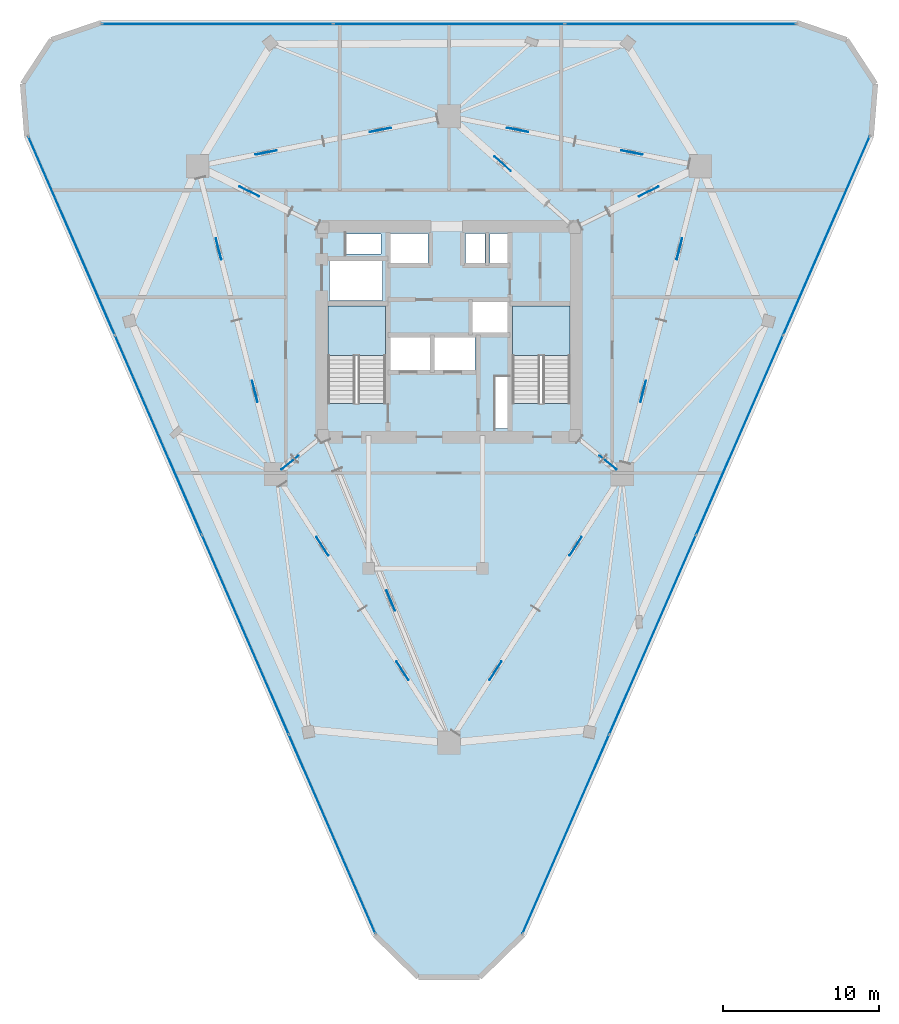
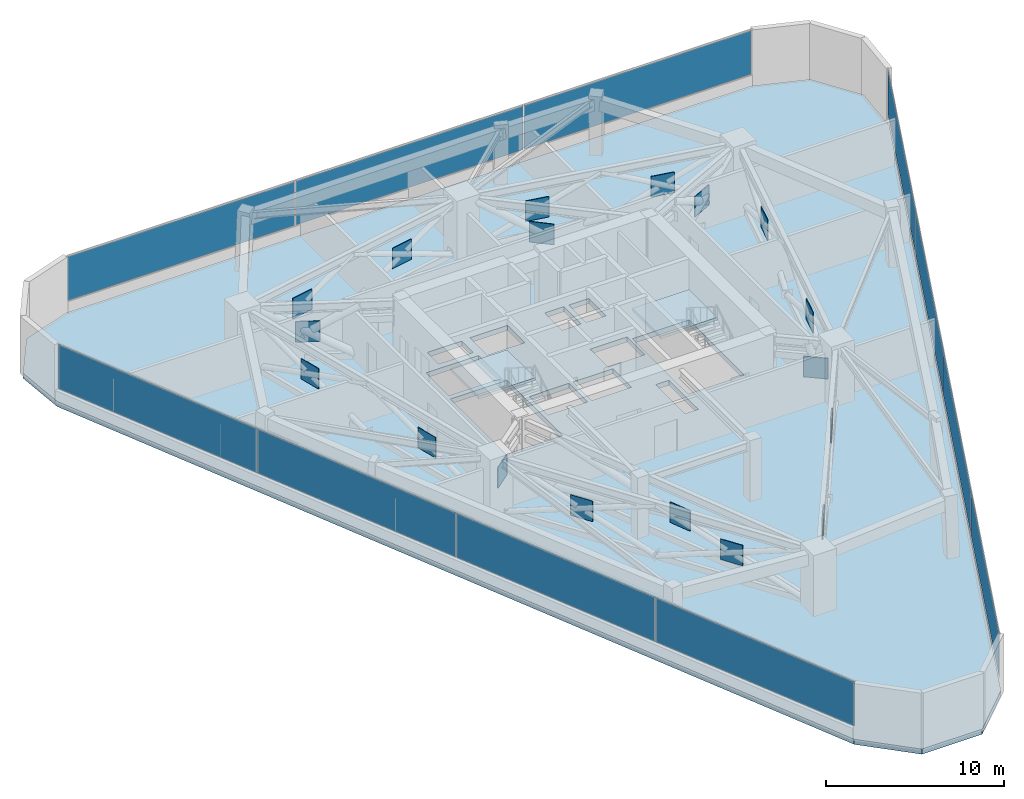
# One storey, part 9 of 13: 29 plates, 3 slabs, 5 elements without a shape of their own.
"""IFC4 building model written with IfcOpenShell, lengths in metres."""

from ifc_helpers import new_model, si_unit, direction, frame, origin, origin_2d, place, context, subcontext, project, spatial, polyline, rectangle, outline, extrude, material, layer, layer_set, type_object, element, aggregate, save


model = new_model("IFC4")

# Units and contexts
model_context = context("Model", 3, precision=1e-05, world=origin(), true_north=direction((0.0, 1.0)))
body_context = subcontext(model_context, "Body", "Model", "MODEL_VIEW")
ifc_project = project(units=[si_unit("LENGTHUNIT", "METRE"), si_unit("AREAUNIT", "SQUARE_METRE"), si_unit("VOLUMEUNIT", "CUBIC_METRE"), si_unit("PLANEANGLEUNIT", "RADIAN"), si_unit("MASSUNIT", "GRAM", prefix="KILO")], contexts=[model_context])

# Site, building, storey
site_placement = place(None, origin())
site = spatial("IfcSite", under=ifc_project, at=site_placement, CompositionType="ELEMENT")
building_placement = place(site_placement, origin())
building = spatial("IfcBuilding", under=site, at=building_placement, Name="Talyreon Biosciences Tower", CompositionType="ELEMENT")
storey_placement = place(building_placement, frame((0.0, 0.0, 175.199951171875)))
storey = spatial("IfcBuildingStorey", under=building, at=storey_placement, Name="L46", CompositionType="ELEMENT", Elevation=175.199951171875)

# Curtain wall, plates
ifc_material_1 = material(Name="Thermally broken aluminium and low-E glazing", Category="aluminium")
ifc_layer_1 = layer(ifc_material_1, 0.18505859375)
ifc_layer_set_1 = layer_set([ifc_layer_1], Name="Thermally broken aluminium and low-E glazing")
curtain_wall_type = type_object("IfcCurtainWallType", Name="CurtainWall_Zone3Bioprocess", PredefinedType="NOTDEFINED", material=ifc_layer_set_1)
curtain_wall_1_placement = place(storey_placement, origin())
curtain_wall_1 = element("IfcCurtainWall", 1, at=curtain_wall_1_placement, inside=storey, type_object=curtain_wall_type, Name="L46 Unitised Curtain Wall FCW-L46-00", PredefinedType="NOTDEFINED")
ifc_material_2 = material(Name="Triple-silver low-E insulated glazing", Category="glass")
ifc_layer_2 = layer(ifc_material_2, 0.031982421875)
ifc_layer_set_2 = layer_set([ifc_layer_2], Name="Triple-silver low-E insulated glazing")
plate_type_1 = type_object("IfcPlateType", Name="CWGlazingPanel_32", PredefinedType="CURTAIN_PANEL", material=ifc_layer_set_2)
plate_1_placement = place(storey_placement, frame((58.5166015625, 35.83154296875, 0.875), z_axis=(0.0, 0.0, 1.0), x_axis=(-0.399300253505, 0.916820215501, 0.0)))
plate_1 = element("IfcPlate", 2, at=plate_1_placement, type_object=plate_type_1, Name="CW4 panel 1.1", PredefinedType="CURTAIN_PANEL", context=body_context, shape_type="SweptSolid", body=[
    extrude(rectangle(XDim=13.84033203125, YDim=0.031982421875, at=origin_2d()), origin(), (0.0, 0.0, 1.0), 3.010009765625),
])
plate_2_placement = place(storey_placement, frame((52.957763671875, 48.59521484375, 0.875), z_axis=(0.0, 0.0, 1.0), x_axis=(-0.399300253505, 0.916820215501, 0.0)))
plate_2 = element("IfcPlate", 3, at=plate_2_placement, type_object=plate_type_1, Name="CW4 panel 2.1", PredefinedType="CURTAIN_PANEL", context=body_context, shape_type="SweptSolid", body=[
    extrude(rectangle(XDim=13.872802734375, YDim=0.031982421875, at=origin_2d()), origin(), (0.0, 0.0, 1.0), 3.010009765625),
])
plate_3_placement = place(storey_placement, frame((47.392333984375, 61.37353515625, 0.875), z_axis=(0.0, 0.0, 1.0), x_axis=(-0.399300253505, 0.916820215501, 0.0)))
plate_3 = element("IfcPlate", 4, at=plate_3_placement, type_object=plate_type_1, Name="CW4 panel 3.1", PredefinedType="CURTAIN_PANEL", context=body_context, shape_type="SweptSolid", body=[
    extrude(rectangle(XDim=13.872802734375, YDim=0.031982421875, at=origin_2d()), origin(), (0.0, 0.0, 1.0), 3.010009765625),
])
plate_4_placement = place(storey_placement, frame((41.83349609375, 74.13720703125, 0.875), z_axis=(0.0, 0.0, 1.0), x_axis=(-0.399300253505, 0.916820215501, 0.0)))
plate_4 = element("IfcPlate", 5, at=plate_4_placement, type_object=plate_type_1, Name="CW4 panel 4.1", PredefinedType="CURTAIN_PANEL", context=body_context, shape_type="SweptSolid", body=[
    extrude(rectangle(XDim=13.84033203125, YDim=0.031982421875, at=origin_2d()), origin(), (0.0, 0.0, 1.0), 3.010009765625),
])
aggregate(curtain_wall_1, [plate_1, plate_2, plate_3, plate_4])

curtain_wall_2_placement = place(storey_placement, origin())
curtain_wall_2 = element("IfcCurtainWall", 6, at=curtain_wall_2_placement, inside=storey, type_object=curtain_wall_type, Name="L46 Unitised Curtain Wall FCW-L46-04", PredefinedType="NOTDEFINED")
plate_5_placement = place(storey_placement, frame((51.17529296875, 87.705810546875, 0.875), z_axis=(0.0, 0.0, 1.0), x_axis=(1.0, 0.0, 0.0)))
plate_5 = element("IfcPlate", 7, at=plate_5_placement, type_object=plate_type_1, Name="CW4 panel 1.1", PredefinedType="CURTAIN_PANEL", context=body_context, shape_type="SweptSolid", body=[
    extrude(rectangle(XDim=14.743408203125, YDim=0.031982421875, at=origin_2d()), origin(), (0.0, 0.0, 1.0), 3.010009765625),
])
plate_6_placement = place(storey_placement, frame((66.0, 87.705810546875, 0.875), z_axis=(0.0, 0.0, 1.0), x_axis=(1.0, 0.0, 0.0)))
plate_6 = element("IfcPlate", 8, at=plate_6_placement, type_object=plate_type_1, Name="CW4 panel 2.1", PredefinedType="CURTAIN_PANEL", context=body_context, shape_type="SweptSolid", body=[
    extrude(rectangle(XDim=14.77587890625, YDim=0.031982421875, at=origin_2d()), origin(), (0.0, 0.0, 1.0), 3.010009765625),
])
plate_7_placement = place(storey_placement, frame((80.82470703125, 87.705810546875, 0.875), z_axis=(0.0, 0.0, 1.0), x_axis=(1.0, 0.0, 0.0)))
plate_7 = element("IfcPlate", 9, at=plate_7_placement, type_object=plate_type_1, Name="CW4 panel 3.1", PredefinedType="CURTAIN_PANEL", context=body_context, shape_type="SweptSolid", body=[
    extrude(rectangle(XDim=14.743408203125, YDim=0.031982421875, at=origin_2d()), origin(), (0.0, 0.0, 1.0), 3.010009765625),
])
aggregate(curtain_wall_2, [plate_5, plate_6, plate_7])

curtain_wall_3_placement = place(storey_placement, origin())
curtain_wall_3 = element("IfcCurtainWall", 10, at=curtain_wall_3_placement, inside=storey, type_object=curtain_wall_type, Name="L46 Unitised Curtain Wall FCW-L46-08", PredefinedType="NOTDEFINED")
plate_8_placement = place(storey_placement, frame((90.16650390625, 74.13720703125, 0.875), z_axis=(0.0, 0.0, 1.0), x_axis=(-0.399300253505, -0.916820215501, 0.0)))
plate_8 = element("IfcPlate", 11, at=plate_8_placement, type_object=plate_type_1, Name="CW4 panel 1.1", PredefinedType="CURTAIN_PANEL", context=body_context, shape_type="SweptSolid", body=[
    extrude(rectangle(XDim=13.84033203125, YDim=0.031982421875, at=origin_2d()), origin(), (0.0, 0.0, 1.0), 3.010009765625),
])
plate_9_placement = place(storey_placement, frame((84.607666015625, 61.37353515625, 0.875), z_axis=(0.0, 0.0, 1.0), x_axis=(-0.399300253505, -0.916820215501, 0.0)))
plate_9 = element("IfcPlate", 12, at=plate_9_placement, type_object=plate_type_1, Name="CW4 panel 2.1", PredefinedType="CURTAIN_PANEL", context=body_context, shape_type="SweptSolid", body=[
    extrude(rectangle(XDim=13.872802734375, YDim=0.031982421875, at=origin_2d()), origin(), (0.0, 0.0, 1.0), 3.010009765625),
])
plate_10_placement = place(storey_placement, frame((79.042236328125, 48.59521484375, 0.875), z_axis=(0.0, 0.0, 1.0), x_axis=(-0.399300253505, -0.916820215501, 0.0)))
plate_10 = element("IfcPlate", 13, at=plate_10_placement, type_object=plate_type_1, Name="CW4 panel 3.1", PredefinedType="CURTAIN_PANEL", context=body_context, shape_type="SweptSolid", body=[
    extrude(rectangle(XDim=13.872802734375, YDim=0.031982421875, at=origin_2d()), origin(), (0.0, 0.0, 1.0), 3.010009765625),
])
plate_11_placement = place(storey_placement, frame((73.4833984375, 35.83154296875, 0.875), z_axis=(0.0, 0.0, 1.0), x_axis=(-0.399300253505, -0.916820215501, 0.0)))
plate_11 = element("IfcPlate", 14, at=plate_11_placement, type_object=plate_type_1, Name="CW4 panel 4.1", PredefinedType="CURTAIN_PANEL", context=body_context, shape_type="SweptSolid", body=[
    extrude(rectangle(XDim=13.84033203125, YDim=0.031982421875, at=origin_2d()), origin(), (0.0, 0.0, 1.0), 3.010009765625),
])
aggregate(curtain_wall_3, [plate_8, plate_9, plate_10, plate_11])

# Slab
ifc_material_3 = material(Name="Concrete C50/60", Category="concrete")
ifc_layer_3 = layer(ifc_material_3, 0.35009765625)
ifc_layer_set_3 = layer_set([ifc_layer_3], Name="Concrete C50/60")
slab_type_1 = type_object("IfcSlabType", Name="PlantOutriggerSlab_350", PredefinedType="FLOOR", material=ifc_layer_set_3)
slab_1_placement = place(storey_placement, frame((0.0, 0.0, -0.349853515625)))
element("IfcSlab", 15, at=slab_1_placement, inside=storey, type_object=slab_type_1, Name="L46 Structural Floor Slab", PredefinedType="FLOOR", context=body_context, shape_type="SweptSolid", body=[
    extrude(outline(polyline([(61.232421875, 29.3955078125), (38.970947265625, 80.509521484375), (38.69970703125, 83.87109375), (40.548095703125, 86.69189453125), (43.738525390625, 87.78564453125), (88.261474609375, 87.78564453125), (91.451904296875, 86.69189453125), (93.30029296875, 83.87109375), (93.029052734375, 80.509521484375), (70.767578125, 29.3955078125), (67.9609375, 26.65576171875), (64.0390625, 26.65576171875), (61.232421875, 29.3955078125)]), holes=[polyline([(61.929931640625, 69.64990234375), (61.929931640625, 63.407958984375), (58.25, 63.407958984375), (58.25, 69.64990234375), (61.929931640625, 69.64990234375)]), polyline([(64.800048828125, 67.64990234375), (64.800048828125, 65.550048828125), (62.199951171875, 65.550048828125), (62.199951171875, 67.64990234375), (64.800048828125, 67.64990234375)]), polyline([(67.64990234375, 67.64990234375), (67.64990234375, 65.550048828125), (65.050048828125, 65.550048828125), (65.050048828125, 67.64990234375), (67.64990234375, 67.64990234375)]), polyline([(61.75, 69.97998046875), (58.35009765625, 69.97998046875), (58.35009765625, 72.550048828125), (61.75, 72.550048828125), (61.75, 69.97998046875)]), polyline([(64.64990234375, 72.35009765625), (62.199951171875, 72.35009765625), (62.199951171875, 74.300048828125), (64.64990234375, 74.300048828125), (64.64990234375, 72.35009765625)]), polyline([(61.64990234375, 74.25), (61.64990234375, 72.9599609375), (59.39990234375, 72.9599609375), (59.39990234375, 74.25), (61.64990234375, 74.25)]), polyline([(69.820068359375, 61.800048828125), (68.9599609375, 61.800048828125), (68.9599609375, 65.10009765625), (69.820068359375, 65.10009765625), (69.820068359375, 61.800048828125)]), polyline([(73.75, 63.407958984375), (70.070068359375, 63.407958984375), (70.070068359375, 69.64990234375), (73.75, 69.64990234375), (73.75, 63.407958984375)]), polyline([(69.89990234375, 69.949951171875), (69.89990234375, 67.949951171875), (67.5, 67.949951171875), (67.5, 69.949951171875), (69.89990234375, 69.949951171875)]), polyline([(68.300048828125, 72.35009765625), (67.050048828125, 72.35009765625), (67.050048828125, 74.300048828125), (68.300048828125, 74.300048828125), (68.300048828125, 72.35009765625)]), polyline([(69.919921875, 72.35009765625), (68.6201171875, 72.35009765625), (68.6201171875, 74.300048828125), (69.919921875, 74.300048828125), (69.919921875, 72.35009765625)])]), origin(), (0.0, 0.0, 1.0), 0.349853515625),
])

# Stair, slab
ifc_material_4 = material(Name="Concrete C40/50", Category="concrete")
stair_type = type_object("IfcStairType", Name="DoglegEscapeStair_4200", PredefinedType="HALF_TURN_STAIR", material=ifc_material_4)
stair_1_placement = place(storey_placement, origin())
stair_1 = element("IfcStair", 16, at=stair_1_placement, inside=storey, type_object=stair_type, Name="L46 Core Escape Stair 1", PredefinedType="HALF_TURN_STAIR")
ifc_layer_4 = layer(ifc_material_4, 0.199951171875)
ifc_layer_set_4 = layer_set([ifc_layer_4], Name="Concrete C40/50")
slab_type_2 = type_object("IfcSlabType", Name="StairLandingSlab_200", PredefinedType="LANDING", material=ifc_layer_set_4)
slab_2_placement = place(storey_placement, frame((0.0, 0.0, 1.900146484375)))
slab_2 = element("IfcSlab", 17, at=slab_2_placement, type_object=slab_type_2, Name="ST-1 landing 1", PredefinedType="LANDING", context=body_context, shape_type="SweptSolid", body=[
    extrude(outline(polyline([(61.929931640625, 66.47998046875), (61.929931640625, 69.64990234375), (58.25, 69.64990234375), (58.25, 66.47998046875), (61.929931640625, 66.47998046875)])), origin(), (0.0, 0.0, 1.0), 0.199951171875),
])
aggregate(stair_1, [slab_2])

stair_2_placement = place(storey_placement, origin())
stair_2 = element("IfcStair", 18, at=stair_2_placement, inside=storey, type_object=stair_type, Name="L46 Core Escape Stair 2", PredefinedType="HALF_TURN_STAIR")
slab_3_placement = place(storey_placement, frame((0.0, 0.0, 1.900146484375)))
slab_3 = element("IfcSlab", 19, at=slab_3_placement, type_object=slab_type_2, Name="ST-2 landing 1", PredefinedType="LANDING", context=body_context, shape_type="SweptSolid", body=[
    extrude(outline(polyline([(73.75, 66.47998046875), (73.75, 69.64990234375), (70.070068359375, 69.64990234375), (70.070068359375, 66.47998046875), (73.75, 66.47998046875)])), origin(), (0.0, 0.0, 1.0), 0.199951171875),
])
aggregate(stair_2, [slab_3])

# Plates
ifc_material_5 = material(Name="Steel SM355", Category="steel")
ifc_layer_5 = layer(ifc_material_5, 0.035888671875)
ifc_layer_set_5 = layer_set([ifc_layer_5], Name="Steel SM355")
plate_type_2 = type_object("IfcPlateType", Name="TrussGussetNodePlate_36", PredefinedType="SHEET", material=ifc_layer_set_5)
for number, where, z_axis, x_axis, name in (
    (20, (62.27587890625, 50.772705078125, 1.27001953125), (0.0, 0.0, 1.0), (0.378535538423, -0.925586757766, 0.0), "Truss node plate NP-OUT-L46-R1-X"),
    (21, (76.184814453125, 59.613525390625, 1.27001953125), (0.0, 0.0, 1.0), (0.775804187739, -0.630973741361, 0.0), "Truss node plate NP-OUT-L46-R2-X"),
    (22, (78.7900390625, 76.974365234375, 1.27001953125), (0.0, 0.0, 1.0), (0.89785858505, 0.440283955252, 0.0), "Truss node plate NP-OUT-L46-R3-X"),
    (23, (69.43017578125, 78.746826171875, 1.27001953125), (0.0, 0.0, 1.0), (-0.748180360492, 0.663495401773, 0.0), "Truss node plate NP-OUT-L46-R4-X"),
    (24, (53.2099609375, 76.974365234375, 1.27001953125), (0.0, 0.0, 1.0), (-0.89785858505, 0.440283955252, 0.0), "Truss node plate NP-OUT-L46-R5-X"),
    (25, (55.815185546875, 59.613525390625, 1.27001953125), (0.0, 0.0, 1.0), (-0.775804187739, -0.630973741361, 0.0), "Truss node plate NP-OUT-L46-R6-X"),
    (26, (68.977294921875, 46.289794921875, 1.27001953125), (0.0, 0.0, 1.0), (0.54145878531, 0.840727294555, 0.0), "Truss node plate NP-BELT-L46-B1S1-X"),
    (27, (74.10888671875, 54.257568359375, 1.27001953125), (0.0, 0.0, 1.0), (0.541473458687, 0.840717844189, 0.0), "Truss node plate NP-BELT-L46-B1S2-X"),
    (28, (78.43408203125, 64.17822265625, 1.27001953125), (0.0, 0.0, 1.0), (0.246542347409, 0.969132019352, 0.0), "Truss node plate NP-BELT-L46-B2S1-X"),
    (29, (80.754638671875, 73.30078125, 1.27001953125), (0.0, 0.0, 1.0), (0.246542347409, 0.969132019352, 0.0), "Truss node plate NP-BELT-L46-B2S2-X"),
    (30, (77.7041015625, 79.47021484375, 1.27001953125), (0.0, 0.0, 1.0), (-0.980934809797, 0.194337075538, 0.0), "Truss node plate NP-BELT-L46-B3S1-X"),
    (31, (70.398193359375, 80.91748046875, 1.27001953125), (0.0, 0.0, 1.0), (-0.980934809797, 0.194337075538, 0.0), "Truss node plate NP-BELT-L46-B3S2-X"),
    (32, (61.6015625, 80.91748046875, 1.27001953125), (0.0, 0.0, 1.0), (-0.980934809797, -0.194337075538, 0.0), "Truss node plate NP-BELT-L46-B4S1-X"),
    (33, (54.2958984375, 79.47021484375, 1.27001953125), (0.0, 0.0, 1.0), (-0.980934809797, -0.194337075538, 0.0), "Truss node plate NP-BELT-L46-B4S2-X"),
    (34, (51.245361328125, 73.30078125, 1.27001953125), (0.0, 0.0, 1.0), (0.246542347409, -0.969132019352, 0.0), "Truss node plate NP-BELT-L46-B5S1-X"),
    (35, (53.566162109375, 64.17822265625, 1.27001953125), (0.0, 0.0, 1.0), (0.246542347409, -0.969132019352, 0.0), "Truss node plate NP-BELT-L46-B5S2-X"),
    (36, (57.89111328125, 54.257568359375, 1.27001953125), (0.0, 0.0, 1.0), (0.541473458687, -0.840717844189, 0.0), "Truss node plate NP-BELT-L46-B6S1-X"),
    (37, (63.022705078125, 46.289794921875, 1.27001953125), (0.0, 0.0, 1.0), (0.54145878531, -0.840727294555, 0.0), "Truss node plate NP-BELT-L46-B6S2-X"),
):
    element("IfcPlate", number, at=place(storey_placement, frame(where, z_axis=z_axis, x_axis=x_axis)), inside=storey, type_object=plate_type_2, Name=name, PredefinedType="SHEET", context=body_context, shape_type="SweptSolid", body=[
        extrude(rectangle(XDim=1.39990234375, YDim=0.035888671875, at=origin_2d()), origin(), (0.0, 0.0, 1.0), 1.39990234375),
    ])

save(model, "model.ifc")
